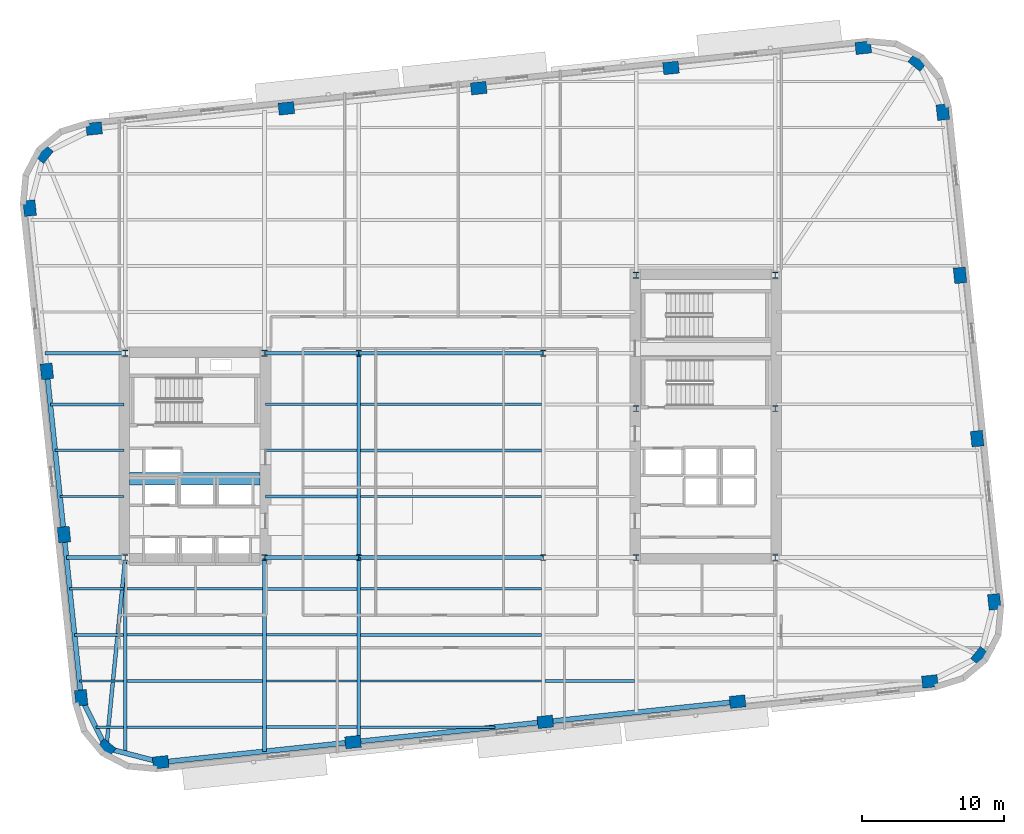
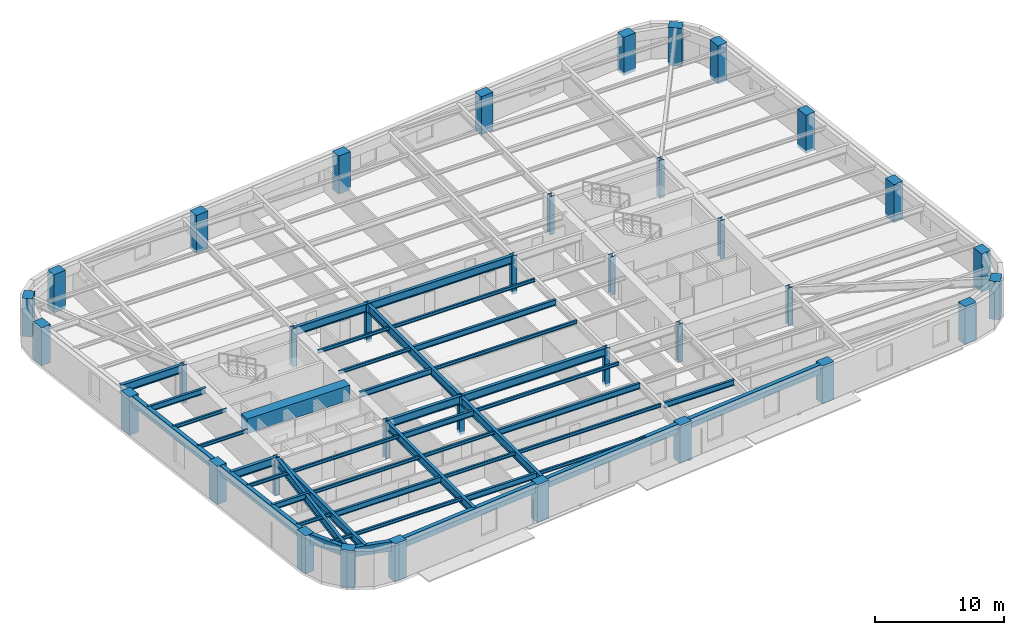
# One storey, part 1 of 12: 45 beams, 36 columns.
"""IFC4 building model written with IfcOpenShell, lengths in metres."""

from ifc_helpers import new_model, si_unit, direction, frame, origin, origin_2d, place, context, subcontext, project, spatial, rectangle, hollow_rectangle, i_section, extrude, material, material_profile, profile_set, type_object, element, save


model = new_model("IFC4")

# Units and contexts
model_context = context("Model", 3, precision=1e-05, world=origin(), true_north=direction((0.0, 1.0)))
body_context = subcontext(model_context, "Body", "Model", "MODEL_VIEW")
ifc_project = project(units=[si_unit("LENGTHUNIT", "METRE"), si_unit("AREAUNIT", "SQUARE_METRE"), si_unit("VOLUMEUNIT", "CUBIC_METRE"), si_unit("PLANEANGLEUNIT", "RADIAN"), si_unit("MASSUNIT", "GRAM", prefix="KILO")], contexts=[model_context])

# Site, building, storey
site_placement = place(None, origin())
site = spatial("IfcSite", under=ifc_project, at=site_placement, CompositionType="ELEMENT")
building_placement = place(site_placement, origin())
building = spatial("IfcBuilding", under=site, at=building_placement, Name="Kolvaren Arena Tower", CompositionType="ELEMENT")
storey_placement = place(building_placement, frame((0.0, 0.0, 149.5)))
storey = spatial("IfcBuildingStorey", under=building, at=storey_placement, Name="L35", CompositionType="ELEMENT", Elevation=149.5)

# Columns
ifc_material_1 = material(Name="Precast concrete C70/85", Category="concrete")
ifc_material_profile_1 = material_profile(ifc_material_1, rectangle(XDim=1.10009765625, YDim=0.85009765625, at=origin_2d()), Name="RC-1100x850")
ifc_profile_set_1 = profile_set([ifc_material_profile_1], Name="Precast concrete C70/85")
column_type_1 = type_object("IfcColumnType", Name="EXCOL-Z2", PredefinedType="COLUMN", material=ifc_profile_set_1)
for number, where, z_axis, x_axis, name in (
    (1, (17.0458984375, 5.024658203125, -0.27001953125), (0.0, 0.0, 1.0), (0.994521895368, 0.104528463268, 0.0), "Exoskeleton Perimeter Column 01 (L35)"),
    (2, (30.59619140625, 6.44873046875, -0.27001953125), (0.0, 0.0, 1.0), (0.994521895368, 0.104528463268, 0.0), "Exoskeleton Perimeter Column 02 (L35)"),
    (3, (44.146728515625, 7.873046875, -0.27001953125), (0.0, 0.0, 1.0), (0.994521895368, 0.104528463268, 0.0), "Exoskeleton Perimeter Column 03 (L35)"),
    (4, (57.697021484375, 9.297119140625, -0.27001953125), (0.0, 0.0, 1.0), (0.994521895368, 0.104528463268, 0.0), "Exoskeleton Perimeter Column 04 (L35)"),
    (5, (71.247314453125, 10.721435546875, -0.27001953125), (0.0, 0.0, 1.0), (0.994521895368, 0.104528463268, 0.0), "Exoskeleton Perimeter Column 05 (L35)"),
    (6, (74.790283203125, 12.49267578125, -0.27001953125), (0.0, 0.0, 1.0), (0.62932039105, 0.777145961457, 0.0), "Exoskeleton Perimeter Column 06 (L35)"),
    (7, (75.786376953125, 16.326416015625, -0.27001953125), (0.0, 0.0, 1.0), (-0.104528463268, 0.994521895368, 0.0), "Exoskeleton Perimeter Column 07 (L35)"),
    (8, (74.577392578125, 27.829833984375, -0.27001953125), (0.0, 0.0, 1.0), (-0.104528463268, 0.994521895368, 0.0), "Exoskeleton Perimeter Column 08 (L35)"),
    (9, (73.368408203125, 39.3330078125, -0.27001953125), (0.0, 0.0, 1.0), (-0.104528463268, 0.994521895368, 0.0), "Exoskeleton Perimeter Column 09 (L35)"),
    (10, (72.1591796875, 50.83642578125, -0.27001953125), (0.0, 0.0, 1.0), (-0.104528463268, 0.994521895368, 0.0), "Exoskeleton Perimeter Column 10 (L35)"),
    (11, (70.387939453125, 54.37939453125, -0.27001953125), (0.0, 0.0, 1.0), (-0.777145961457, 0.62932039105, 0.0), "Exoskeleton Perimeter Column 11 (L35)"),
    (12, (66.55419921875, 55.37548828125, -0.27001953125), (0.0, 0.0, 1.0), (0.994521895368, 0.104528463268, 0.0), "Exoskeleton Perimeter Column 12 (L35)"),
    (13, (53.003662109375, 53.951171875, -0.27001953125), (0.0, 0.0, 1.0), (0.994521895368, 0.104528463268, 0.0), "Exoskeleton Perimeter Column 13 (L35)"),
    (14, (39.453369140625, 52.527099609375, -0.27001953125), (0.0, 0.0, 1.0), (0.994521895368, 0.104528463268, 0.0), "Exoskeleton Perimeter Column 14 (L35)"),
    (15, (25.903076171875, 51.102783203125, -0.27001953125), (0.0, 0.0, 1.0), (0.994521895368, 0.104528463268, 0.0), "Exoskeleton Perimeter Column 15 (L35)"),
    (16, (12.3525390625, 49.6787109375, -0.27001953125), (0.0, 0.0, 1.0), (0.994521895368, 0.104528463268, 0.0), "Exoskeleton Perimeter Column 16 (L35)"),
    (17, (8.8095703125, 47.9072265625, -0.27001953125), (0.0, 0.0, 1.0), (0.62932039105, 0.777145961457, 0.0), "Exoskeleton Perimeter Column 17 (L35)"),
    (18, (7.813720703125, 44.073486328125, -0.27001953125), (0.0, 0.0, 1.0), (-0.104528463268, 0.994521895368, 0.0), "Exoskeleton Perimeter Column 18 (L35)"),
    (19, (9.022705078125, 32.5703125, -0.27001953125), (0.0, 0.0, 1.0), (-0.104528463268, 0.994521895368, 0.0), "Exoskeleton Perimeter Column 19 (L35)"),
    (20, (10.231689453125, 21.06689453125, -0.27001953125), (0.0, 0.0, 1.0), (-0.104528463268, 0.994521895368, 0.0), "Exoskeleton Perimeter Column 20 (L35)"),
    (21, (11.44091796875, 9.5634765625, -0.27001953125), (0.0, 0.0, 1.0), (-0.104528463268, 0.994521895368, 0.0), "Exoskeleton Perimeter Column 21 (L35)"),
    (22, (13.212158203125, 6.0205078125, -0.27001953125), (0.0, 0.0, 1.0), (-0.777145961457, 0.62932039105, 0.0), "Exoskeleton Perimeter Column 22 (L35)"),
):
    element("IfcColumn", number, at=place(storey_placement, frame(where, z_axis=z_axis, x_axis=x_axis)), inside=storey, type_object=column_type_1, Name=name, PredefinedType="COLUMN", context=body_context, shape_type="SweptSolid", body=[
        extrude(rectangle(XDim=1.10009765625, YDim=0.85009765625, at=origin_2d()), origin(), (0.0, 0.0, 1.0), 3.60009765625),
    ])
ifc_material_2 = material(Name="Steel ASTM A913 Grade 65", Category="steel")
ifc_material_profile_2 = material_profile(ifc_material_2, i_section(OverallWidth=0.416015625, OverallDepth=0.446044921875, WebThickness=0.0390625, FlangeThickness=0.062744140625, FilletRadius=0.02001953125, at=origin_2d()), Name="W360x509")
ifc_profile_set_2 = profile_set([ifc_material_profile_2], Name="Steel ASTM A913 Grade 65")
column_type_2 = type_object("IfcColumnType", Name="SCOL-Z2", PredefinedType="COLUMN", material=ifc_profile_set_2)
for number, where, z_axis, x_axis, name in (
    (23, (14.550048828125, 19.449951171875, -0.27001953125), (0.0, 0.0, 1.0), (1.0, 0.0, 0.0), "Core Boundary Column WC-SW (L35)"),
    (24, (24.35009765625, 19.449951171875, -0.27001953125), (0.0, 0.0, 1.0), (1.0, 0.0, 0.0), "Core Boundary Column WC-SE (L35)"),
    (25, (14.550048828125, 33.85009765625, -0.27001953125), (0.0, 0.0, 1.0), (1.0, 0.0, 0.0), "Core Boundary Column WC-NW (L35)"),
    (26, (24.35009765625, 33.85009765625, -0.27001953125), (0.0, 0.0, 1.0), (1.0, 0.0, 0.0), "Core Boundary Column WC-NE (L35)"),
    (27, (50.550048828125, 19.449951171875, -0.27001953125), (0.0, 0.0, 1.0), (1.0, 0.0, 0.0), "Core Boundary Column EC-SW (L35)"),
    (28, (60.35009765625, 19.449951171875, -0.27001953125), (0.0, 0.0, 1.0), (1.0, 0.0, 0.0), "Core Boundary Column EC-SE (L35)"),
    (29, (50.550048828125, 29.949951171875, -0.27001953125), (0.0, 0.0, 1.0), (1.0, 0.0, 0.0), "Core Boundary Column EC-MW (L35)"),
    (30, (60.35009765625, 29.949951171875, -0.27001953125), (0.0, 0.0, 1.0), (1.0, 0.0, 0.0), "Core Boundary Column EC-ME (L35)"),
    (31, (50.550048828125, 39.35009765625, -0.27001953125), (0.0, 0.0, 1.0), (1.0, 0.0, 0.0), "Core Boundary Column EC-NW (L35)"),
    (32, (60.35009765625, 39.35009765625, -0.27001953125), (0.0, 0.0, 1.0), (1.0, 0.0, 0.0), "Core Boundary Column EC-NE (L35)"),
    (33, (31.0, 19.449951171875, -0.27001953125), (0.0, 0.0, 1.0), (1.0, 0.0, 0.0), "Interior Gravity Column TC-SW (L35)"),
    (34, (44.0, 19.449951171875, -0.27001953125), (0.0, 0.0, 1.0), (1.0, 0.0, 0.0), "Interior Gravity Column TC-SE (L35)"),
    (35, (31.0, 33.85009765625, -0.27001953125), (0.0, 0.0, 1.0), (1.0, 0.0, 0.0), "Interior Gravity Column TC-NW (L35)"),
    (36, (44.0, 33.85009765625, -0.27001953125), (0.0, 0.0, 1.0), (1.0, 0.0, 0.0), "Interior Gravity Column TC-NE (L35)"),
):
    element("IfcColumn", number, at=place(storey_placement, frame(where, z_axis=z_axis, x_axis=x_axis)), inside=storey, type_object=column_type_2, Name=name, PredefinedType="COLUMN", context=body_context, shape_type="SweptSolid", body=[
        extrude(i_section(OverallWidth=0.416015625, OverallDepth=0.446044921875, WebThickness=0.0390625, FlangeThickness=0.062744140625, FilletRadius=0.02001953125, at=origin_2d()), origin(), (0.0, 0.0, 1.0), 3.60009765625),
    ])

# Beams
ifc_material_3 = material(Name="Steel CSA G40.21 350W", Category="steel")
ifc_material_profile_3 = material_profile(ifc_material_3, i_section(OverallWidth=0.2119140625, OverallDepth=0.54296875, WebThickness=0.01318359375, FlangeThickness=0.0244140625, FilletRadius=0.013916015625, at=origin_2d()), Name="W530x150")
ifc_profile_set_3 = profile_set([ifc_material_profile_3], Name="Steel CSA G40.21 350W")
beam_type_1 = type_object("IfcBeamType", Name="BEAM-F1", PredefinedType="BEAM", material=ifc_profile_set_3)
beam_1_placement = place(storey_placement, frame((24.485107421875, 7.5, 3.05859375), z_axis=(1.0, 0.0, 0.0), x_axis=(0.0, 1.0, 0.0)))
element("IfcBeam", 37, at=beam_1_placement, inside=storey, type_object=beam_type_1, Name="Composite Floor Beam (L35)", PredefinedType="BEAM", context=body_context, shape_type="SweptSolid", body=[
    extrude(i_section(OverallWidth=0.2119140625, OverallDepth=0.54296875, WebThickness=0.01318359375, FlangeThickness=0.0244140625, FilletRadius=0.013916015625, at=origin_2d()), origin(), (0.0, 0.0, 1.0), 6.3798828125),
])
beam_2_placement = place(storey_placement, frame((14.68505859375, 10.75, 3.05859375), z_axis=(1.0, 0.0, 0.0), x_axis=(0.0, 1.0, 0.0)))
element("IfcBeam", 38, at=beam_2_placement, inside=storey, type_object=beam_type_1, Name="Composite Floor Beam (L35)", PredefinedType="BEAM", context=body_context, shape_type="SweptSolid", body=[
    extrude(i_section(OverallWidth=0.2119140625, OverallDepth=0.54296875, WebThickness=0.01318359375, FlangeThickness=0.0244140625, FilletRadius=0.013916015625, at=origin_2d()), origin(), (0.0, 0.0, 1.0), 9.530029296875),
])
beam_3_placement = place(storey_placement, frame((44.135009765625, 10.75, 3.05859375), z_axis=(1.0, 0.0, 0.0), x_axis=(0.0, 1.0, 0.0)))
element("IfcBeam", 39, at=beam_3_placement, inside=storey, type_object=beam_type_1, Name="Composite Floor Beam (L35)", PredefinedType="BEAM", context=body_context, shape_type="SweptSolid", body=[
    extrude(i_section(OverallWidth=0.2119140625, OverallDepth=0.54296875, WebThickness=0.01318359375, FlangeThickness=0.0244140625, FilletRadius=0.013916015625, at=origin_2d()), origin(), (0.0, 0.0, 1.0), 6.280029296875),
])
beam_4_placement = place(storey_placement, frame((10.974609375, 14.0, 3.05859375), z_axis=(1.0, 0.0, 0.0), x_axis=(0.0, 1.0, 0.0)))
element("IfcBeam", 40, at=beam_4_placement, inside=storey, type_object=beam_type_1, Name="Composite Floor Beam (L35)", PredefinedType="BEAM", context=body_context, shape_type="SweptSolid", body=[
    extrude(i_section(OverallWidth=0.2119140625, OverallDepth=0.54296875, WebThickness=0.01318359375, FlangeThickness=0.0244140625, FilletRadius=0.013916015625, at=origin_2d()), origin(), (0.0, 0.0, 1.0), 3.4404296875),
])
beam_5_placement = place(storey_placement, frame((31.135009765625, 14.0, 3.05859375), z_axis=(1.0, 0.0, 0.0), x_axis=(0.0, 1.0, 0.0)))
element("IfcBeam", 41, at=beam_5_placement, inside=storey, type_object=beam_type_1, Name="Composite Floor Beam (L35)", PredefinedType="BEAM", context=body_context, shape_type="SweptSolid", body=[
    extrude(i_section(OverallWidth=0.2119140625, OverallDepth=0.54296875, WebThickness=0.01318359375, FlangeThickness=0.0244140625, FilletRadius=0.013916015625, at=origin_2d()), origin(), (0.0, 0.0, 1.0), 12.72998046875),
])
beam_6_placement = place(storey_placement, frame((24.485107421875, 17.25, 3.05859375), z_axis=(1.0, 0.0, 0.0), x_axis=(0.0, 1.0, 0.0)))
element("IfcBeam", 42, at=beam_6_placement, inside=storey, type_object=beam_type_1, Name="Composite Floor Beam (L35)", PredefinedType="BEAM", context=body_context, shape_type="SweptSolid", body=[
    extrude(i_section(OverallWidth=0.2119140625, OverallDepth=0.54296875, WebThickness=0.01318359375, FlangeThickness=0.0244140625, FilletRadius=0.013916015625, at=origin_2d()), origin(), (0.0, 0.0, 1.0), 6.3798828125),
])
beam_7_placement = place(storey_placement, frame((24.445068359375, 23.75, 3.05859375), z_axis=(1.0, 0.0, 0.0), x_axis=(0.0, 1.0, 0.0)))
element("IfcBeam", 43, at=beam_7_placement, inside=storey, type_object=beam_type_1, Name="Composite Floor Beam (L35)", PredefinedType="BEAM", context=body_context, shape_type="SweptSolid", body=[
    extrude(i_section(OverallWidth=0.2119140625, OverallDepth=0.54296875, WebThickness=0.01318359375, FlangeThickness=0.0244140625, FilletRadius=0.013916015625, at=origin_2d()), origin(), (0.0, 0.0, 1.0), 6.419921875),
])
beam_8_placement = place(storey_placement, frame((31.135009765625, 27.0, 3.05859375), z_axis=(1.0, 0.0, 0.0), x_axis=(0.0, 1.0, 0.0)))
element("IfcBeam", 44, at=beam_8_placement, inside=storey, type_object=beam_type_1, Name="Composite Floor Beam (L35)", PredefinedType="BEAM", context=body_context, shape_type="SweptSolid", body=[
    extrude(i_section(OverallWidth=0.2119140625, OverallDepth=0.54296875, WebThickness=0.01318359375, FlangeThickness=0.0244140625, FilletRadius=0.013916015625, at=origin_2d()), origin(), (0.0, 0.0, 1.0), 12.72998046875),
])
beam_9_placement = place(storey_placement, frame((9.2666015625, 30.25, 3.05859375), z_axis=(1.0, 0.0, 0.0), x_axis=(0.0, 1.0, 0.0)))
element("IfcBeam", 45, at=beam_9_placement, inside=storey, type_object=beam_type_1, Name="Composite Floor Beam (L35)", PredefinedType="BEAM", context=body_context, shape_type="SweptSolid", body=[
    extrude(i_section(OverallWidth=0.2119140625, OverallDepth=0.54296875, WebThickness=0.01318359375, FlangeThickness=0.0244140625, FilletRadius=0.013916015625, at=origin_2d()), origin(), (0.0, 0.0, 1.0), 5.1884765625),
])
ifc_material_4 = material(Name="Concrete 75 MPa", Category="concrete")
ifc_material_profile_4 = material_profile(ifc_material_4, rectangle(XDim=0.89990234375, YDim=1.39990234375, at=origin_2d()), Name="RC-900x1400")
ifc_profile_set_4 = profile_set([ifc_material_profile_4], Name="Concrete 75 MPa")
beam_type_2 = type_object("IfcBeamType", Name="CB-CORE-1", PredefinedType="BEAM", material=ifc_profile_set_4)
beam_10_placement = place(storey_placement, frame((14.85009765625, 25.0, 2.89990234375), z_axis=(1.0, 0.0, 0.0), x_axis=(0.0, 1.0, 0.0)))
element("IfcBeam", 46, at=beam_10_placement, inside=storey, type_object=beam_type_2, Name="West Core Coupling Beam (L35)", PredefinedType="BEAM", context=body_context, shape_type="SweptSolid", body=[
    extrude(rectangle(XDim=0.89990234375, YDim=1.39990234375, at=origin_2d()), origin(), (0.0, 0.0, 1.0), 9.199951171875),
])
ifc_material_profile_5 = material_profile(ifc_material_3, i_section(OverallWidth=0.27001953125, OverallDepth=0.77294921875, WebThickness=0.019287109375, FlangeThickness=0.033447265625, FilletRadius=0.01806640625, at=origin_2d()), Name="W760x257")
ifc_profile_set_5 = profile_set([ifc_material_profile_5], Name="Steel CSA G40.21 350W")
beam_type_3 = type_object("IfcBeamType", Name="GIRD-T1", PredefinedType="BEAM", material=ifc_profile_set_5)
beam_11_placement = place(storey_placement, frame((13.212158203125, 6.0205078125, 2.943603515625), z_axis=(0.099132957575, 0.995074196592, 0.0), x_axis=(-0.995074196592, 0.099132957575, 0.0)))
element("IfcBeam", 47, at=beam_11_placement, inside=storey, type_object=beam_type_3, Name="Corner Diagonal Tie Girder (L35)", PredefinedType="BEAM", context=body_context, shape_type="SweptSolid", body=[
    extrude(i_section(OverallWidth=0.27001953125, OverallDepth=0.77294921875, WebThickness=0.019287109375, FlangeThickness=0.033447265625, FilletRadius=0.01806640625, at=origin_2d()), origin(), (0.0, 0.0, 1.0), 13.495849609375),
])
beam_12_placement = place(storey_placement, frame((10.401611328125, 19.449951171875, 2.943603515625), z_axis=(1.0, 0.0, 0.0), x_axis=(0.0, 1.0, 0.0)))
element("IfcBeam", 48, at=beam_12_placement, inside=storey, type_object=beam_type_3, Name="Primary Floor Girder (L35)", PredefinedType="BEAM", context=body_context, shape_type="SweptSolid", body=[
    extrude(i_section(OverallWidth=0.27001953125, OverallDepth=0.77294921875, WebThickness=0.019287109375, FlangeThickness=0.033447265625, FilletRadius=0.01806640625, at=origin_2d()), origin(), (0.0, 0.0, 1.0), 4.093505859375),
])
beam_13_placement = place(storey_placement, frame((24.405029296875, 19.449951171875, 2.943603515625), z_axis=(1.0, 0.0, 0.0), x_axis=(0.0, 1.0, 0.0)))
element("IfcBeam", 49, at=beam_13_placement, inside=storey, type_object=beam_type_3, Name="Primary Floor Girder (L35)", PredefinedType="BEAM", context=body_context, shape_type="SweptSolid", body=[
    extrude(i_section(OverallWidth=0.27001953125, OverallDepth=0.77294921875, WebThickness=0.019287109375, FlangeThickness=0.033447265625, FilletRadius=0.01806640625, at=origin_2d()), origin(), (0.0, 0.0, 1.0), 6.594970703125),
])
beam_14_placement = place(storey_placement, frame((31.0, 19.449951171875, 2.943603515625), z_axis=(1.0, 0.0, 0.0), x_axis=(0.0, 1.0, 0.0)))
element("IfcBeam", 50, at=beam_14_placement, inside=storey, type_object=beam_type_3, Name="Primary Floor Girder (L35)", PredefinedType="BEAM", context=body_context, shape_type="SweptSolid", body=[
    extrude(i_section(OverallWidth=0.27001953125, OverallDepth=0.77294921875, WebThickness=0.019287109375, FlangeThickness=0.033447265625, FilletRadius=0.01806640625, at=origin_2d()), origin(), (0.0, 0.0, 1.0), 13.0),
])
beam_15_placement = place(storey_placement, frame((8.88818359375, 33.85009765625, 2.943603515625), z_axis=(1.0, 0.0, 0.0), x_axis=(0.0, 1.0, 0.0)))
element("IfcBeam", 51, at=beam_15_placement, inside=storey, type_object=beam_type_3, Name="Primary Floor Girder (L35)", PredefinedType="BEAM", context=body_context, shape_type="SweptSolid", body=[
    extrude(i_section(OverallWidth=0.27001953125, OverallDepth=0.77294921875, WebThickness=0.019287109375, FlangeThickness=0.033447265625, FilletRadius=0.01806640625, at=origin_2d()), origin(), (0.0, 0.0, 1.0), 5.60693359375),
])
beam_16_placement = place(storey_placement, frame((24.405029296875, 33.85009765625, 2.943603515625), z_axis=(1.0, 0.0, 0.0), x_axis=(0.0, 1.0, 0.0)))
element("IfcBeam", 52, at=beam_16_placement, inside=storey, type_object=beam_type_3, Name="Primary Floor Girder (L35)", PredefinedType="BEAM", context=body_context, shape_type="SweptSolid", body=[
    extrude(i_section(OverallWidth=0.27001953125, OverallDepth=0.77294921875, WebThickness=0.019287109375, FlangeThickness=0.033447265625, FilletRadius=0.01806640625, at=origin_2d()), origin(), (0.0, 0.0, 1.0), 6.594970703125),
])
beam_17_placement = place(storey_placement, frame((31.0, 33.85009765625, 2.943603515625), z_axis=(1.0, 0.0, 0.0), x_axis=(0.0, 1.0, 0.0)))
element("IfcBeam", 53, at=beam_17_placement, inside=storey, type_object=beam_type_3, Name="Primary Floor Girder (L35)", PredefinedType="BEAM", context=body_context, shape_type="SweptSolid", body=[
    extrude(i_section(OverallWidth=0.27001953125, OverallDepth=0.77294921875, WebThickness=0.019287109375, FlangeThickness=0.033447265625, FilletRadius=0.01806640625, at=origin_2d()), origin(), (0.0, 0.0, 1.0), 13.0),
])
beam_18_placement = place(storey_placement, frame((14.550048828125, 5.673095703125, 2.943603515625), z_axis=(0.0, 1.0, 0.0), x_axis=(-1.0, 0.0, 0.0)))
element("IfcBeam", 54, at=beam_18_placement, inside=storey, type_object=beam_type_3, Name="Primary Floor Girder (L35)", PredefinedType="BEAM", context=body_context, shape_type="SweptSolid", body=[
    extrude(i_section(OverallWidth=0.27001953125, OverallDepth=0.77294921875, WebThickness=0.019287109375, FlangeThickness=0.033447265625, FilletRadius=0.01806640625, at=origin_2d()), origin(), (0.0, 0.0, 1.0), 13.721923828125),
])
beam_19_placement = place(storey_placement, frame((24.35009765625, 5.792236328125, 2.943603515625), z_axis=(0.0, 1.0, 0.0), x_axis=(-1.0, 0.0, 0.0)))
element("IfcBeam", 55, at=beam_19_placement, inside=storey, type_object=beam_type_3, Name="Primary Floor Girder (L35)", PredefinedType="BEAM", context=body_context, shape_type="SweptSolid", body=[
    extrude(i_section(OverallWidth=0.27001953125, OverallDepth=0.77294921875, WebThickness=0.019287109375, FlangeThickness=0.033447265625, FilletRadius=0.01806640625, at=origin_2d()), origin(), (0.0, 0.0, 1.0), 13.602783203125),
])
beam_20_placement = place(storey_placement, frame((31.0, 6.4912109375, 2.943603515625), z_axis=(0.0, 1.0, 0.0), x_axis=(-1.0, 0.0, 0.0)))
element("IfcBeam", 56, at=beam_20_placement, inside=storey, type_object=beam_type_3, Name="Primary Floor Girder (L35)", PredefinedType="BEAM", context=body_context, shape_type="SweptSolid", body=[
    extrude(i_section(OverallWidth=0.27001953125, OverallDepth=0.77294921875, WebThickness=0.019287109375, FlangeThickness=0.033447265625, FilletRadius=0.01806640625, at=origin_2d()), origin(), (0.0, 0.0, 1.0), 12.958740234375),
])
beam_21_placement = place(storey_placement, frame((31.0, 19.449951171875, 2.943603515625), z_axis=(0.0, 1.0, 0.0), x_axis=(-1.0, 0.0, 0.0)))
element("IfcBeam", 57, at=beam_21_placement, inside=storey, type_object=beam_type_3, Name="Primary Floor Girder (L35)", PredefinedType="BEAM", context=body_context, shape_type="SweptSolid", body=[
    extrude(i_section(OverallWidth=0.27001953125, OverallDepth=0.77294921875, WebThickness=0.019287109375, FlangeThickness=0.033447265625, FilletRadius=0.01806640625, at=origin_2d()), origin(), (0.0, 0.0, 1.0), 14.400146484375),
])
ifc_material_profile_6 = material_profile(ifc_material_3, i_section(OverallWidth=0.1669921875, OverallDepth=0.31689453125, WebThickness=0.007568359375, FlangeThickness=0.01318359375, FilletRadius=0.010009765625, at=origin_2d()), Name="W310x52")
ifc_profile_set_6 = profile_set([ifc_material_profile_6], Name="Steel CSA G40.21 350W")
beam_type_4 = type_object("IfcBeamType", Name="JOIST-02", PredefinedType="JOIST", material=ifc_profile_set_6)
beam_22_placement = place(storey_placement, frame((12.472412109375, 7.5, 3.17138671875), z_axis=(1.0, 0.0, 0.0), x_axis=(0.0, 1.0, 0.0)))
element("IfcBeam", 58, at=beam_22_placement, inside=storey, type_object=beam_type_4, Name="Composite Floor Joist (L35)", PredefinedType="JOIST", context=body_context, shape_type="SweptSolid", body=[
    extrude(i_section(OverallWidth=0.1669921875, OverallDepth=0.31689453125, WebThickness=0.007568359375, FlangeThickness=0.01318359375, FilletRadius=0.010009765625, at=origin_2d()), origin(), (0.0, 0.0, 1.0), 1.942626953125),
])
beam_23_placement = place(storey_placement, frame((14.68505859375, 7.5, 3.17138671875), z_axis=(1.0, 0.0, 0.0), x_axis=(0.0, 1.0, 0.0)))
element("IfcBeam", 59, at=beam_23_placement, inside=storey, type_object=beam_type_4, Name="Composite Floor Joist (L35)", PredefinedType="JOIST", context=body_context, shape_type="SweptSolid", body=[
    extrude(i_section(OverallWidth=0.1669921875, OverallDepth=0.31689453125, WebThickness=0.007568359375, FlangeThickness=0.01318359375, FilletRadius=0.010009765625, at=origin_2d()), origin(), (0.0, 0.0, 1.0), 9.530029296875),
])
beam_24_placement = place(storey_placement, frame((31.135009765625, 7.5, 3.17138671875), z_axis=(1.0, 0.0, 0.0), x_axis=(0.0, 1.0, 0.0)))
element("IfcBeam", 60, at=beam_24_placement, inside=storey, type_object=beam_type_4, Name="Composite Floor Joist (L35)", PredefinedType="JOIST", context=body_context, shape_type="SweptSolid", body=[
    extrude(i_section(OverallWidth=0.1669921875, OverallDepth=0.31689453125, WebThickness=0.007568359375, FlangeThickness=0.01318359375, FilletRadius=0.010009765625, at=origin_2d()), origin(), (0.0, 0.0, 1.0), 9.462890625),
])
beam_25_placement = place(storey_placement, frame((11.316162109375, 10.75, 3.17138671875), z_axis=(1.0, 0.0, 0.0), x_axis=(0.0, 1.0, 0.0)))
element("IfcBeam", 61, at=beam_25_placement, inside=storey, type_object=beam_type_4, Name="Composite Floor Joist (L35)", PredefinedType="JOIST", context=body_context, shape_type="SweptSolid", body=[
    extrude(i_section(OverallWidth=0.1669921875, OverallDepth=0.31689453125, WebThickness=0.007568359375, FlangeThickness=0.01318359375, FilletRadius=0.010009765625, at=origin_2d()), origin(), (0.0, 0.0, 1.0), 3.098876953125),
])
beam_26_placement = place(storey_placement, frame((24.485107421875, 10.75, 3.17138671875), z_axis=(1.0, 0.0, 0.0), x_axis=(0.0, 1.0, 0.0)))
element("IfcBeam", 62, at=beam_26_placement, inside=storey, type_object=beam_type_4, Name="Composite Floor Joist (L35)", PredefinedType="JOIST", context=body_context, shape_type="SweptSolid", body=[
    extrude(i_section(OverallWidth=0.1669921875, OverallDepth=0.31689453125, WebThickness=0.007568359375, FlangeThickness=0.01318359375, FilletRadius=0.010009765625, at=origin_2d()), origin(), (0.0, 0.0, 1.0), 6.3798828125),
])
beam_27_placement = place(storey_placement, frame((31.135009765625, 10.75, 3.17138671875), z_axis=(1.0, 0.0, 0.0), x_axis=(0.0, 1.0, 0.0)))
element("IfcBeam", 63, at=beam_27_placement, inside=storey, type_object=beam_type_4, Name="Composite Floor Joist (L35)", PredefinedType="JOIST", context=body_context, shape_type="SweptSolid", body=[
    extrude(i_section(OverallWidth=0.1669921875, OverallDepth=0.31689453125, WebThickness=0.007568359375, FlangeThickness=0.01318359375, FilletRadius=0.010009765625, at=origin_2d()), origin(), (0.0, 0.0, 1.0), 12.72998046875),
])
beam_28_placement = place(storey_placement, frame((14.68505859375, 14.0, 3.17138671875), z_axis=(1.0, 0.0, 0.0), x_axis=(0.0, 1.0, 0.0)))
element("IfcBeam", 64, at=beam_28_placement, inside=storey, type_object=beam_type_4, Name="Composite Floor Joist (L35)", PredefinedType="JOIST", context=body_context, shape_type="SweptSolid", body=[
    extrude(i_section(OverallWidth=0.1669921875, OverallDepth=0.31689453125, WebThickness=0.007568359375, FlangeThickness=0.01318359375, FilletRadius=0.010009765625, at=origin_2d()), origin(), (0.0, 0.0, 1.0), 9.530029296875),
])
beam_29_placement = place(storey_placement, frame((24.485107421875, 14.0, 3.17138671875), z_axis=(1.0, 0.0, 0.0), x_axis=(0.0, 1.0, 0.0)))
element("IfcBeam", 65, at=beam_29_placement, inside=storey, type_object=beam_type_4, Name="Composite Floor Joist (L35)", PredefinedType="JOIST", context=body_context, shape_type="SweptSolid", body=[
    extrude(i_section(OverallWidth=0.1669921875, OverallDepth=0.31689453125, WebThickness=0.007568359375, FlangeThickness=0.01318359375, FilletRadius=0.010009765625, at=origin_2d()), origin(), (0.0, 0.0, 1.0), 6.3798828125),
])
beam_30_placement = place(storey_placement, frame((10.6328125, 17.25, 3.17138671875), z_axis=(1.0, 0.0, 0.0), x_axis=(0.0, 1.0, 0.0)))
element("IfcBeam", 66, at=beam_30_placement, inside=storey, type_object=beam_type_4, Name="Composite Floor Joist (L35)", PredefinedType="JOIST", context=body_context, shape_type="SweptSolid", body=[
    extrude(i_section(OverallWidth=0.1669921875, OverallDepth=0.31689453125, WebThickness=0.007568359375, FlangeThickness=0.01318359375, FilletRadius=0.010009765625, at=origin_2d()), origin(), (0.0, 0.0, 1.0), 3.7822265625),
])
beam_31_placement = place(storey_placement, frame((14.68505859375, 17.25, 3.17138671875), z_axis=(1.0, 0.0, 0.0), x_axis=(0.0, 1.0, 0.0)))
element("IfcBeam", 67, at=beam_31_placement, inside=storey, type_object=beam_type_4, Name="Composite Floor Joist (L35)", PredefinedType="JOIST", context=body_context, shape_type="SweptSolid", body=[
    extrude(i_section(OverallWidth=0.1669921875, OverallDepth=0.31689453125, WebThickness=0.007568359375, FlangeThickness=0.01318359375, FilletRadius=0.010009765625, at=origin_2d()), origin(), (0.0, 0.0, 1.0), 9.530029296875),
])
beam_32_placement = place(storey_placement, frame((31.135009765625, 17.25, 3.17138671875), z_axis=(1.0, 0.0, 0.0), x_axis=(0.0, 1.0, 0.0)))
element("IfcBeam", 68, at=beam_32_placement, inside=storey, type_object=beam_type_4, Name="Composite Floor Joist (L35)", PredefinedType="JOIST", context=body_context, shape_type="SweptSolid", body=[
    extrude(i_section(OverallWidth=0.1669921875, OverallDepth=0.31689453125, WebThickness=0.007568359375, FlangeThickness=0.01318359375, FilletRadius=0.010009765625, at=origin_2d()), origin(), (0.0, 0.0, 1.0), 12.72998046875),
])
beam_33_placement = place(storey_placement, frame((9.94970703125, 23.75, 3.17138671875), z_axis=(1.0, 0.0, 0.0), x_axis=(0.0, 1.0, 0.0)))
element("IfcBeam", 69, at=beam_33_placement, inside=storey, type_object=beam_type_4, Name="Composite Floor Joist (L35)", PredefinedType="JOIST", context=body_context, shape_type="SweptSolid", body=[
    extrude(i_section(OverallWidth=0.1669921875, OverallDepth=0.31689453125, WebThickness=0.007568359375, FlangeThickness=0.01318359375, FilletRadius=0.010009765625, at=origin_2d()), origin(), (0.0, 0.0, 1.0), 4.50537109375),
])
beam_34_placement = place(storey_placement, frame((31.135009765625, 23.75, 3.17138671875), z_axis=(1.0, 0.0, 0.0), x_axis=(0.0, 1.0, 0.0)))
element("IfcBeam", 70, at=beam_34_placement, inside=storey, type_object=beam_type_4, Name="Composite Floor Joist (L35)", PredefinedType="JOIST", context=body_context, shape_type="SweptSolid", body=[
    extrude(i_section(OverallWidth=0.1669921875, OverallDepth=0.31689453125, WebThickness=0.007568359375, FlangeThickness=0.01318359375, FilletRadius=0.010009765625, at=origin_2d()), origin(), (0.0, 0.0, 1.0), 12.72998046875),
])
beam_35_placement = place(storey_placement, frame((9.608154296875, 27.0, 3.17138671875), z_axis=(1.0, 0.0, 0.0), x_axis=(0.0, 1.0, 0.0)))
element("IfcBeam", 71, at=beam_35_placement, inside=storey, type_object=beam_type_4, Name="Composite Floor Joist (L35)", PredefinedType="JOIST", context=body_context, shape_type="SweptSolid", body=[
    extrude(i_section(OverallWidth=0.1669921875, OverallDepth=0.31689453125, WebThickness=0.007568359375, FlangeThickness=0.01318359375, FilletRadius=0.010009765625, at=origin_2d()), origin(), (0.0, 0.0, 1.0), 4.846923828125),
])
for number, where, z_axis, x_axis, name in (
    (72, (24.445068359375, 27.0, 3.17138671875), (1.0, 0.0, 0.0), (0.0, 1.0, 0.0), "Composite Floor Joist (L35)"),
    (73, (24.445068359375, 30.25, 3.17138671875), (1.0, 0.0, 0.0), (0.0, 1.0, 0.0), "Composite Floor Joist (L35)"),
):
    element("IfcBeam", number, at=place(storey_placement, frame(where, z_axis=z_axis, x_axis=x_axis)), inside=storey, type_object=beam_type_4, Name=name, PredefinedType="JOIST", context=body_context, shape_type="SweptSolid", body=[
        extrude(i_section(OverallWidth=0.1669921875, OverallDepth=0.31689453125, WebThickness=0.007568359375, FlangeThickness=0.01318359375, FilletRadius=0.010009765625, at=origin_2d()), origin(), (0.0, 0.0, 1.0), 6.419921875),
    ])
beam_36_placement = place(storey_placement, frame((31.135009765625, 30.25, 3.17138671875), z_axis=(1.0, 0.0, 0.0), x_axis=(0.0, 1.0, 0.0)))
element("IfcBeam", 74, at=beam_36_placement, inside=storey, type_object=beam_type_4, Name="Composite Floor Joist (L35)", PredefinedType="JOIST", context=body_context, shape_type="SweptSolid", body=[
    extrude(i_section(OverallWidth=0.1669921875, OverallDepth=0.31689453125, WebThickness=0.007568359375, FlangeThickness=0.01318359375, FilletRadius=0.010009765625, at=origin_2d()), origin(), (0.0, 0.0, 1.0), 12.72998046875),
])
ifc_material_5 = material(Name="Steel CSA G40.21 350WT", Category="steel")
ifc_material_profile_7 = material_profile(ifc_material_5, hollow_rectangle(XDim=0.35009765625, YDim=0.89990234375, WallThickness=0.02001953125, at=origin_2d()), Name="HSS 900x350x20")
ifc_profile_set_7 = profile_set([ifc_material_profile_7], Name="Steel CSA G40.21 350WT")
beam_type_5 = type_object("IfcBeamType", Name="SPAND-01", PredefinedType="SPANDREL", material=ifc_profile_set_7)
beam_37_placement = place(storey_placement, frame((17.0458984375, 5.024658203125, 2.8798828125), z_axis=(0.994522817887, 0.104519685718, 0.0), x_axis=(-0.104519685718, 0.994522817887, 0.0)))
element("IfcBeam", 75, at=beam_37_placement, inside=storey, type_object=beam_type_5, Name="Perimeter Spandrel Beam (L35)", PredefinedType="SPANDREL", context=body_context, shape_type="SweptSolid", body=[
    extrude(hollow_rectangle(XDim=0.35009765625, YDim=0.89990234375, WallThickness=0.02001953125, at=origin_2d()), origin(), (0.0, 0.0, 1.0), 13.625),
])
beam_38_placement = place(storey_placement, frame((30.59619140625, 6.44873046875, 2.8798828125), z_axis=(0.994521150946, 0.104535545729, 0.0), x_axis=(-0.104535545729, 0.994521150946, 0.0)))
element("IfcBeam", 76, at=beam_38_placement, inside=storey, type_object=beam_type_5, Name="Perimeter Spandrel Beam (L35)", PredefinedType="SPANDREL", context=body_context, shape_type="SweptSolid", body=[
    extrude(hollow_rectangle(XDim=0.35009765625, YDim=0.89990234375, WallThickness=0.02001953125, at=origin_2d()), origin(), (0.0, 0.0, 1.0), 13.625244140625),
])
beam_39_placement = place(storey_placement, frame((44.146728515625, 7.873046875, 2.8798828125), z_axis=(0.994522817887, 0.104519685718, 0.0), x_axis=(-0.104519685718, 0.994522817887, 0.0)))
element("IfcBeam", 77, at=beam_39_placement, inside=storey, type_object=beam_type_5, Name="Perimeter Spandrel Beam (L35)", PredefinedType="SPANDREL", context=body_context, shape_type="SweptSolid", body=[
    extrude(hollow_rectangle(XDim=0.35009765625, YDim=0.89990234375, WallThickness=0.02001953125, at=origin_2d()), origin(), (0.0, 0.0, 1.0), 13.625),
])
for number, where, z_axis, x_axis, name in (
    (78, (9.022705078125, 32.5703125, 2.8798828125), (0.104522171998, -0.994522556587, 0.0), (0.994522556587, 0.104522171998, 0.0), "Perimeter Spandrel Beam (L35)"),
    (79, (10.231689453125, 21.06689453125, 2.8798828125), (0.104543048399, -0.994520362301, 0.0), (0.994520362301, 0.104543048399, 0.0), "Perimeter Spandrel Beam (L35)"),
):
    element("IfcBeam", number, at=place(storey_placement, frame(where, z_axis=z_axis, x_axis=x_axis)), inside=storey, type_object=beam_type_5, Name=name, PredefinedType="SPANDREL", context=body_context, shape_type="SweptSolid", body=[
        extrude(hollow_rectangle(XDim=0.35009765625, YDim=0.89990234375, WallThickness=0.02001953125, at=origin_2d()), origin(), (0.0, 0.0, 1.0), 11.56689453125),
    ])
for number, where, z_axis, x_axis, name in (
    (80, (11.44091796875, 9.5634765625, 2.8798828125), (0.44716428656, -0.894451843771, 0.0), (0.894451843771, 0.44716428656, 0.0), "Perimeter Spandrel Beam (L35)"),
    (81, (13.212158203125, 6.0205078125, 2.8798828125), (0.96787922294, -0.25141561169, 0.0), (0.25141561169, 0.96787922294, 0.0), "Perimeter Spandrel Beam (L35)"),
):
    element("IfcBeam", number, at=place(storey_placement, frame(where, z_axis=z_axis, x_axis=x_axis)), inside=storey, type_object=beam_type_5, Name=name, PredefinedType="SPANDREL", context=body_context, shape_type="SweptSolid", body=[
        extrude(hollow_rectangle(XDim=0.35009765625, YDim=0.89990234375, WallThickness=0.02001953125, at=origin_2d()), origin(), (0.0, 0.0, 1.0), 3.9609375),
    ])

save(model, "model.ifc")
